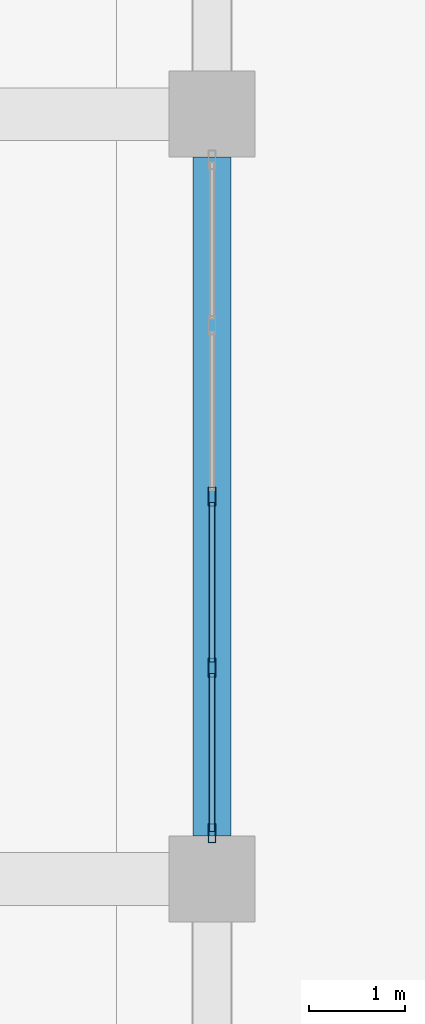
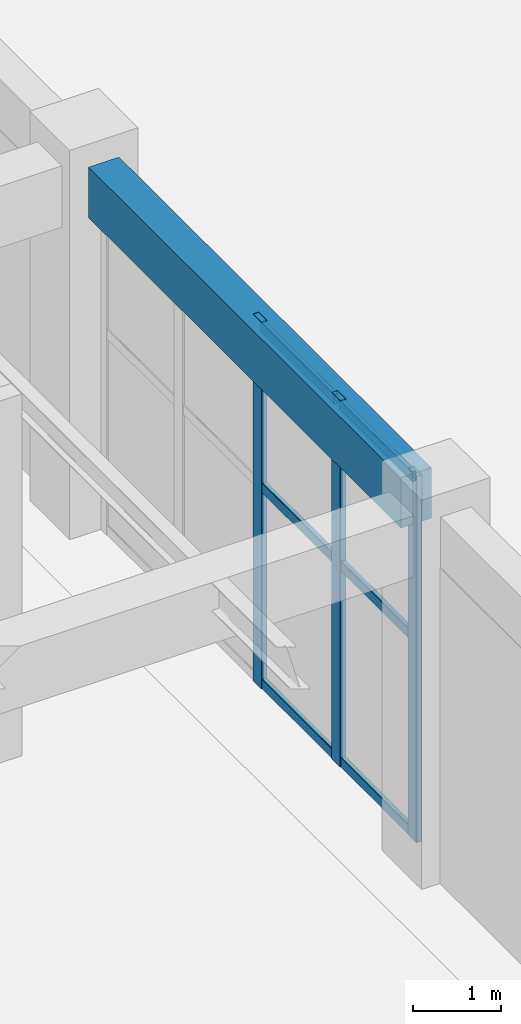
# One storey, part 31 of 121: 9 members, 1 beam, 1 element without a shape of its own.
"""IFC4 building model written with IfcOpenShell, lengths in metres."""

from ifc_helpers import new_model, si_unit, derived_unit, direction, frame, origin, origin_2d, place, context, subcontext, project, spatial, rectangle, hollow_rectangle, extrude, material, material_profile, profile_set, type_object, element, aggregate, save


model = new_model("IFC4")

# Units and contexts
model_context = context("Model", 3, precision=1e-05, world=origin(), true_north=direction((0.0, 1.0)))
body_context = subcontext(model_context, "Body", "Model", "MODEL_VIEW")
ifc_project = project(units=[si_unit("LENGTHUNIT", "METRE"), si_unit("AREAUNIT", "SQUARE_METRE"), si_unit("VOLUMEUNIT", "CUBIC_METRE"), si_unit("PLANEANGLEUNIT", "RADIAN"), si_unit("MASSUNIT", "GRAM", prefix="KILO"), derived_unit("THERMALTRANSMITTANCEUNIT", [(si_unit("MASSUNIT", "GRAM", prefix="KILO"), 1), (si_unit("TIMEUNIT", "SECOND"), -3), (si_unit("THERMODYNAMICTEMPERATUREUNIT", "KELVIN"), -1)])], contexts=[model_context])

# Site, building, storey
site_placement = place(None, origin())
site = spatial("IfcSite", under=ifc_project, at=site_placement, CompositionType="ELEMENT")
building_placement = place(site_placement, origin())
building = spatial("IfcBuilding", under=site, at=building_placement, Name="Zhenchuan Archway Interchange", CompositionType="ELEMENT")
storey_placement = place(building_placement, origin())
storey = spatial("IfcBuildingStorey", under=building, at=storey_placement, Name="L00", CompositionType="ELEMENT", Elevation=0.0)

# Curtain wall, members
ifc_material_1 = material(Name="Anodised Aluminium", Category="aluminium")
curtain_wall_type = type_object("IfcCurtainWallType", Name="CW_UNIT_2", PredefinedType="NOTDEFINED", material=ifc_material_1)
curtain_wall_placement = place(storey_placement, origin())
curtain_wall = element("IfcCurtainWall", 1, at=curtain_wall_placement, inside=storey, type_object=curtain_wall_type, Name="Unitised curtain wall CW:L00:025", PredefinedType="NOTDEFINED")
ifc_material_profile_1 = material_profile(ifc_material_1, hollow_rectangle(XDim=0.080078125, YDim=0.199951171875, WallThickness=0.00439453125, InnerFilletRadius=0.00439453125, OuterFilletRadius=0.009033203125, at=origin_2d()), Name="ALU 200x80x4.5")
ifc_profile_set_1 = profile_set([ifc_material_profile_1], Name="Anodised Aluminium")
member_type_1 = type_object("IfcMemberType", Name="CW_MUL_200", PredefinedType="MULLION", material=ifc_profile_set_1)
member_1_placement = place(storey_placement, frame((108.0, 60.0, 0.0), z_axis=(0.0, 0.0, 1.0), x_axis=(1.0, 0.0, 0.0)))
member_1 = element("IfcMember", 2, at=member_1_placement, type_object=member_type_1, Name="CW:L00:025 mullion 2", PredefinedType="MULLION", context=body_context, shape_type="SweptSolid", body=[
    extrude(hollow_rectangle(XDim=0.080078125, YDim=0.199951171875, WallThickness=0.00439453125, InnerFilletRadius=0.00439453125, OuterFilletRadius=0.009033203125, at=origin_2d()), origin(), (0.0, 0.0, 1.0), 5.080078125),
])
member_2_placement = place(storey_placement, frame((108.0, 58.208984375, 0.0), z_axis=(0.0, 0.0, 1.0), x_axis=(1.0, 0.0, 0.0)))
member_2 = element("IfcMember", 3, at=member_2_placement, type_object=member_type_1, Name="CW:L00:025 mullion 3", PredefinedType="MULLION", context=body_context, shape_type="SweptSolid", body=[
    extrude(hollow_rectangle(XDim=0.080078125, YDim=0.199951171875, WallThickness=0.00439453125, InnerFilletRadius=0.00439453125, OuterFilletRadius=0.009033203125, at=origin_2d()), origin(), (0.0, 0.0, 1.0), 5.080078125),
])
member_3_placement = place(storey_placement, frame((108.0, 56.47802734375, 0.0), z_axis=(0.0, 0.0, 1.0), x_axis=(1.0, 0.0, 0.0)))
member_3 = element("IfcMember", 4, at=member_3_placement, type_object=member_type_1, Name="CW:L00:025 mullion 4", PredefinedType="MULLION", context=body_context, shape_type="SweptSolid", body=[
    extrude(hollow_rectangle(XDim=0.080078125, YDim=0.199951171875, WallThickness=0.00439453125, InnerFilletRadius=0.00439453125, OuterFilletRadius=0.009033203125, at=origin_2d()), origin(), (0.0, 0.0, 1.0), 5.080078125),
])
ifc_material_profile_2 = material_profile(ifc_material_1, hollow_rectangle(XDim=0.06005859375, YDim=0.139892578125, WallThickness=0.00341796875, InnerFilletRadius=0.00341796875, OuterFilletRadius=0.007080078125, at=origin_2d()), Name="ALU 140x60x3.5")
ifc_profile_set_2 = profile_set([ifc_material_profile_2], Name="Anodised Aluminium")
member_type_2 = type_object("IfcMemberType", Name="CW_TRN_140", PredefinedType="USERDEFINED", material=ifc_profile_set_2)
member_4_placement = place(storey_placement, frame((108.0, 59.93994140625, 0.06005859375), z_axis=(0.0, -1.0, 0.0), x_axis=(1.0, 0.0, 0.0)))
member_4 = element("IfcMember", 5, at=member_4_placement, type_object=member_type_2, Name="CW:L00:025 transom 2-1", ObjectType="TRANSOM", PredefinedType="USERDEFINED", context=body_context, shape_type="SweptSolid", body=[
    extrude(hollow_rectangle(XDim=0.06005859375, YDim=0.139892578125, WallThickness=0.00341796875, InnerFilletRadius=0.00341796875, OuterFilletRadius=0.007080078125, at=origin_2d()), origin(), (0.0, 0.0, 1.0), 1.6708984375),
])
member_5_placement = place(storey_placement, frame((108.0, 59.93994140625, 2.782958984375), z_axis=(0.0, -1.0, 0.0), x_axis=(1.0, 0.0, 0.0)))
member_5 = element("IfcMember", 6, at=member_5_placement, type_object=member_type_2, Name="CW:L00:025 transom 2-2", ObjectType="TRANSOM", PredefinedType="USERDEFINED", context=body_context, shape_type="SweptSolid", body=[
    extrude(hollow_rectangle(XDim=0.06005859375, YDim=0.139892578125, WallThickness=0.00341796875, InnerFilletRadius=0.00341796875, OuterFilletRadius=0.007080078125, at=origin_2d()), origin(), (0.0, 0.0, 1.0), 1.6708984375),
])
member_6_placement = place(storey_placement, frame((108.0, 59.93994140625, 5.0), z_axis=(0.0, -1.0, 0.0), x_axis=(1.0, 0.0, 0.0)))
member_6 = element("IfcMember", 7, at=member_6_placement, type_object=member_type_2, Name="CW:L00:025 transom 2-3", ObjectType="TRANSOM", PredefinedType="USERDEFINED", context=body_context, shape_type="SweptSolid", body=[
    extrude(hollow_rectangle(XDim=0.06005859375, YDim=0.139892578125, WallThickness=0.00341796875, InnerFilletRadius=0.00341796875, OuterFilletRadius=0.007080078125, at=origin_2d()), origin(), (0.0, 0.0, 1.0), 1.6708984375),
])
member_7_placement = place(storey_placement, frame((108.0, 58.14892578125, 0.06005859375), z_axis=(0.0, -1.0, 0.0), x_axis=(1.0, 0.0, 0.0)))
member_7 = element("IfcMember", 8, at=member_7_placement, type_object=member_type_2, Name="CW:L00:025 transom 3-1", ObjectType="TRANSOM", PredefinedType="USERDEFINED", context=body_context, shape_type="SweptSolid", body=[
    extrude(hollow_rectangle(XDim=0.06005859375, YDim=0.139892578125, WallThickness=0.00341796875, InnerFilletRadius=0.00341796875, OuterFilletRadius=0.007080078125, at=origin_2d()), origin(), (0.0, 0.0, 1.0), 1.65087890625),
])
member_8_placement = place(storey_placement, frame((108.0, 58.14892578125, 2.782958984375), z_axis=(0.0, -1.0, 0.0), x_axis=(1.0, 0.0, 0.0)))
member_8 = element("IfcMember", 9, at=member_8_placement, type_object=member_type_2, Name="CW:L00:025 transom 3-2", ObjectType="TRANSOM", PredefinedType="USERDEFINED", context=body_context, shape_type="SweptSolid", body=[
    extrude(hollow_rectangle(XDim=0.06005859375, YDim=0.139892578125, WallThickness=0.00341796875, InnerFilletRadius=0.00341796875, OuterFilletRadius=0.007080078125, at=origin_2d()), origin(), (0.0, 0.0, 1.0), 1.65087890625),
])
member_9_placement = place(storey_placement, frame((108.0, 58.14892578125, 5.0), z_axis=(0.0, -1.0, 0.0), x_axis=(1.0, 0.0, 0.0)))
member_9 = element("IfcMember", 10, at=member_9_placement, type_object=member_type_2, Name="CW:L00:025 transom 3-3", ObjectType="TRANSOM", PredefinedType="USERDEFINED", context=body_context, shape_type="SweptSolid", body=[
    extrude(hollow_rectangle(XDim=0.06005859375, YDim=0.139892578125, WallThickness=0.00341796875, InnerFilletRadius=0.00341796875, OuterFilletRadius=0.007080078125, at=origin_2d()), origin(), (0.0, 0.0, 1.0), 1.65087890625),
])
aggregate(curtain_wall, [member_1, member_2, member_3, member_4, member_5, member_6, member_7, member_8, member_9])

# Beam
ifc_material_2 = material(Name="Concrete C40", Category="concrete")
ifc_material_profile_3 = material_profile(ifc_material_2, rectangle(XDim=0.39990234375, YDim=0.699951171875, at=origin_2d()), Name="RC 400x700")
ifc_profile_set_3 = profile_set([ifc_material_profile_3], Name="Concrete C40")
beam_type = type_object("IfcBeamType", Name="SP_RC_400x700", PredefinedType="SPANDREL", material=ifc_profile_set_3)
beam_placement = place(storey_placement, frame((108.0, 56.449951171875, 4.72998046875), z_axis=(0.0, 1.0, 0.0), x_axis=(-1.0, 0.0, 0.0)))
element("IfcBeam", 11, at=beam_placement, inside=storey, type_object=beam_type, Name="Beam 13:H-J (L00)", PredefinedType="SPANDREL", context=body_context, shape_type="SweptSolid", body=[
    extrude(rectangle(XDim=0.39990234375, YDim=0.699951171875, at=origin_2d()), origin(), (0.0, 0.0, 1.0), 7.10009765625),
])

save(model, "model.ifc")
